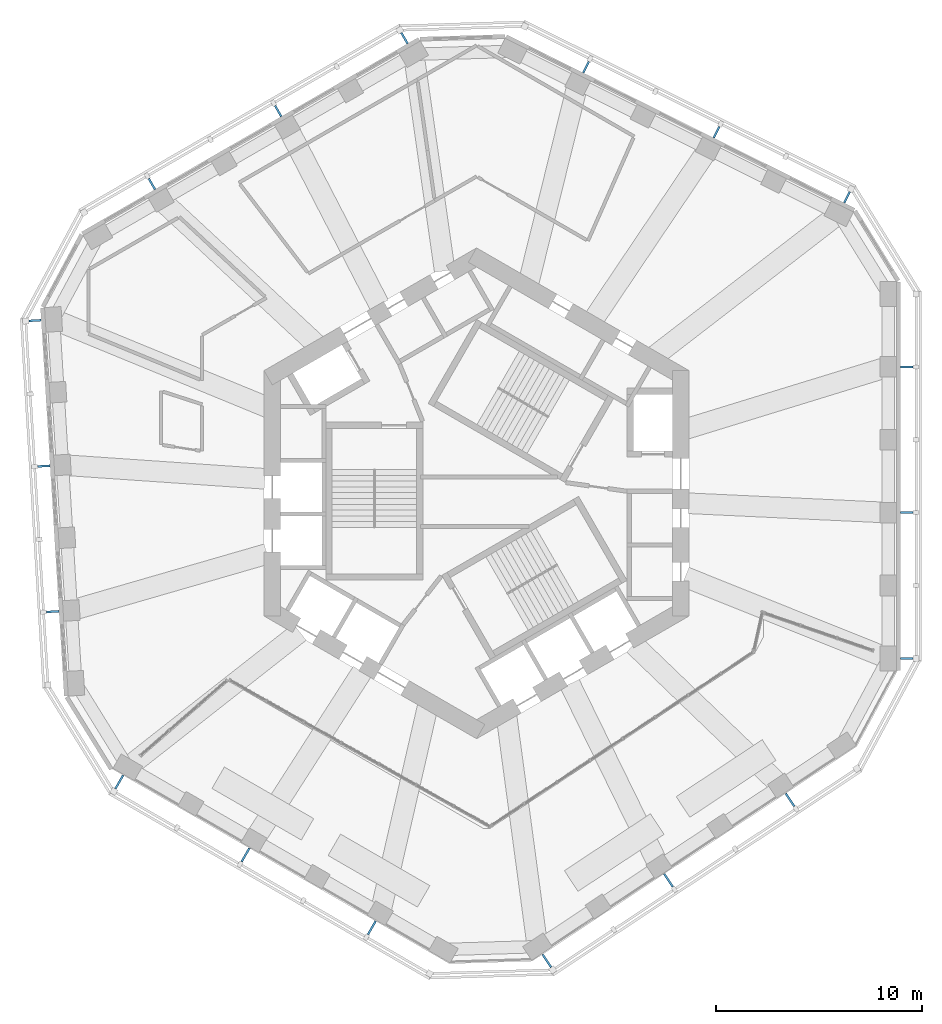
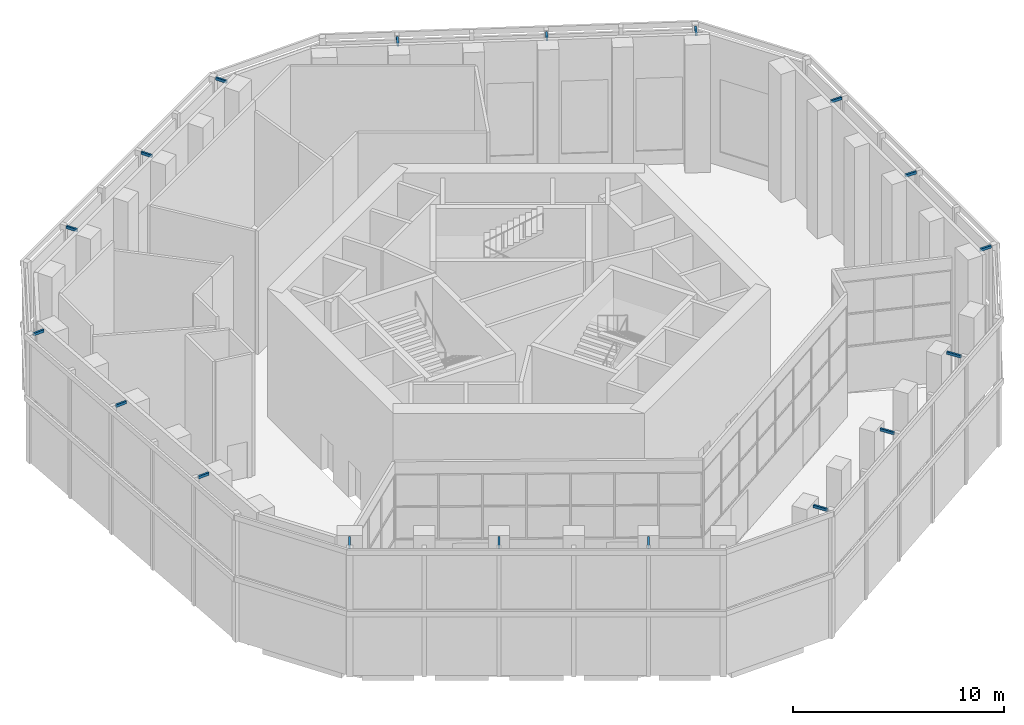
# One storey, part 14 of 17: 18 discrete accessories.
"""IFC4 building model written with IfcOpenShell, lengths in metres."""

from ifc_helpers import new_model, si_unit, direction, frame, origin, origin_2d, place, context, subcontext, project, spatial, rectangle, extrude, material, type_object, element, save


model = new_model("IFC4")

# Units and contexts
model_context = context("Model", 3, precision=1e-05, world=origin(), true_north=direction((0.0, 1.0)))
body_context = subcontext(model_context, "Body", "Model", "MODEL_VIEW")
ifc_project = project(units=[si_unit("LENGTHUNIT", "METRE"), si_unit("AREAUNIT", "SQUARE_METRE"), si_unit("VOLUMEUNIT", "CUBIC_METRE"), si_unit("PLANEANGLEUNIT", "RADIAN"), si_unit("MASSUNIT", "GRAM", prefix="KILO")], contexts=[model_context])

# Site, building, storey
site_placement = place(None, origin())
site = spatial("IfcSite", under=ifc_project, at=site_placement, CompositionType="ELEMENT")
building_placement = place(site_placement, origin())
building = spatial("IfcBuilding", under=site, at=building_placement, Name="Vanh Sen Convention Tower", CompositionType="ELEMENT")
storey_placement = place(building_placement, frame((0.0, 0.0, 214.300048828125)))
storey = spatial("IfcBuildingStorey", under=building, at=storey_placement, Name="L53", CompositionType="ELEMENT", Elevation=214.300048828125)

# Discrete accessories
ifc_material = material(Name="Steel S355", Category="steel")
discrete_accessory_type = type_object("IfcDiscreteAccessoryType", Name="Fin bracket 100 x 150", PredefinedType="BRACKET", material=ifc_material)
for number, where, z_axis, x_axis, name in (
    (1, (20.85009765625, -8.002685546875, 7.199951171875), (0.0, 0.0, 1.0), (1.0, 0.0, 0.0), "Fin bracket E-1 L53"),
    (2, (20.85009765625, -0.935546875, 7.199951171875), (0.0, 0.0, 1.0), (1.0, 0.0, 0.0), "Fin bracket E-3 L53"),
    (3, (20.85009765625, 6.131591796875, 7.199951171875), (0.0, 0.0, 1.0), (1.0, 0.0, 0.0), "Fin bracket E-5 L53"),
    (4, (17.953125, 14.3466796875, 7.199951171875), (0.0, 0.0, 1.0), (0.44619781311, 0.894934361602, 0.0), "Fin bracket NE-1 L53"),
    (5, (11.62841796875, 17.5, 7.199951171875), (0.0, 0.0, 1.0), (0.44619781311, 0.894934361602, 0.0), "Fin bracket NE-3 L53"),
    (6, (5.3037109375, 20.653564453125, 7.199951171875), (0.0, 0.0, 1.0), (0.44619781311, 0.894934361602, 0.0), "Fin bracket NE-5 L53"),
    (7, (-3.494384765625, 22.05810546875, 7.199951171875), (0.0, 0.0, 1.0), (-0.5, 0.866025403784, 0.0), "Fin bracket NW-1 L53"),
    (8, (-9.61474609375, 18.5244140625, 7.199951171875), (0.0, 0.0, 1.0), (-0.5, 0.866025403784, 0.0), "Fin bracket NW-3 L53"),
    (9, (-15.735107421875, 14.99072265625, 7.199951171875), (0.0, 0.0, 1.0), (-0.5, 0.866025403784, 0.0), "Fin bracket NW-5 L53"),
    (10, (-21.401123046875, 8.37451171875, 7.199951171875), (0.0, 0.0, 1.0), (-0.998134798422, -0.061048539535, 0.0), "Fin bracket W-1 L53"),
    (11, (-20.9697265625, 1.3203125, 7.199951171875), (0.0, 0.0, 1.0), (-0.998134798422, -0.061048539535, 0.0), "Fin bracket W-3 L53"),
    (12, (-20.538330078125, -5.733642578125, 7.199951171875), (0.0, 0.0, 1.0), (-0.998134798422, -0.061048539535, 0.0), "Fin bracket W-5 L53"),
):
    element("IfcDiscreteAccessory", number, at=place(storey_placement, frame(where, z_axis=z_axis, x_axis=x_axis)), inside=storey, type_object=discrete_accessory_type, Name=name, PredefinedType="BRACKET", context=body_context, shape_type="SweptSolid", body=[
        extrude(rectangle(XDim=0.60009765625, YDim=0.10009765625, at=origin_2d()), origin(), (0.0, 0.0, 1.0), 0.14990234375),
    ])
for number, where, z_axis, x_axis, name in (
    (13, (-17.318115234375, -13.990234375, 7.199951171875), (0.0, 0.0, 1.0), (-0.5, -0.866025403784, 0.0), "Fin bracket SW-1 L53"),
    (14, (-11.19775390625, -17.52392578125, 7.199951171875), (0.0, 0.0, 1.0), (-0.5, -0.866025403784, 0.0), "Fin bracket SW-3 L53"),
    (15, (-5.077392578125, -21.0576171875, 7.199951171875), (0.0, 0.0, 1.0), (-0.5, -0.866025403784, 0.0), "Fin bracket SW-5 L53"),
    (16, (3.406494140625, -22.65869140625, 7.199951171875), (0.0, 0.0, 1.0), (0.551936985312, -0.833885822067, 0.0), "Fin bracket SE-1 L53"),
    (17, (9.2998046875, -18.758056640625, 7.199951171875), (0.0, 0.0, 1.0), (0.551936985312, -0.833885822067, 0.0), "Fin bracket SE-3 L53"),
    (18, (15.193115234375, -14.857421875, 7.199951171875), (0.0, 0.0, 1.0), (0.551936985312, -0.833885822067, 0.0), "Fin bracket SE-5 L53"),
):
    element("IfcDiscreteAccessory", number, at=place(storey_placement, frame(where, z_axis=z_axis, x_axis=x_axis)), inside=storey, type_object=discrete_accessory_type, Name=name, PredefinedType="BRACKET", context=body_context, shape_type="SweptSolid", body=[
        extrude(rectangle(XDim=0.75, YDim=0.10009765625, at=origin_2d()), origin(), (0.0, 0.0, 1.0), 0.14990234375),
    ])

save(model, "model.ifc")
